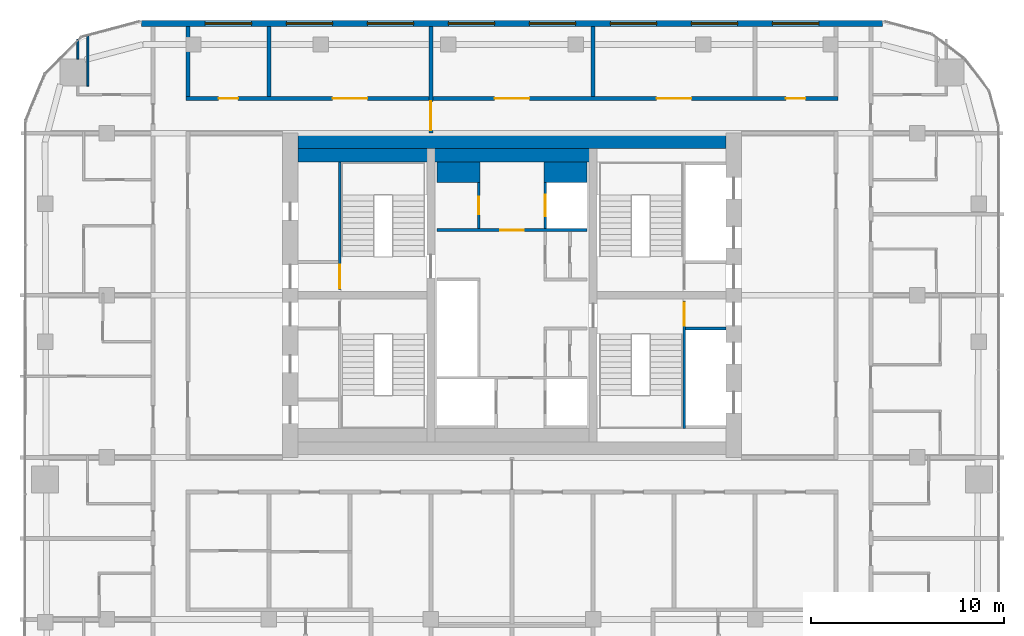
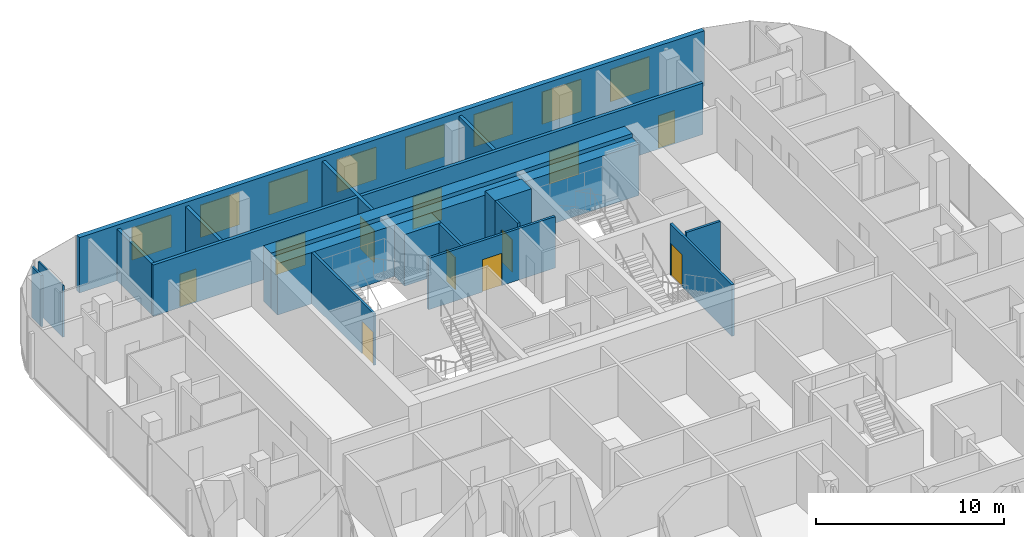
# One storey, part 19 of 22: 18 walls, 11 doors, 8 windows, 19 openings.
"""IFC4 building model written with IfcOpenShell, lengths in metres."""

from ifc_helpers import new_model, si_unit, direction, frame, frame_2d, origin, place, context, subcontext, project, spatial, rectangle, extrude, material, layer, layer_set, type_object, element, fill, save


model = new_model("IFC4")

# Units and contexts
model_context = context("Model", 3, precision=1e-05, world=origin(), true_north=direction((0.0, 1.0)))
body_context = subcontext(model_context, "Body", "Model", "MODEL_VIEW")
ifc_project = project(units=[si_unit("LENGTHUNIT", "METRE"), si_unit("AREAUNIT", "SQUARE_METRE"), si_unit("VOLUMEUNIT", "CUBIC_METRE"), si_unit("PLANEANGLEUNIT", "RADIAN"), si_unit("MASSUNIT", "GRAM", prefix="KILO")], contexts=[model_context])

# Site, building, storey
site_placement = place(None, origin())
site = spatial("IfcSite", under=ifc_project, at=site_placement, CompositionType="ELEMENT")
building_placement = place(site_placement, origin())
building = spatial("IfcBuilding", under=site, at=building_placement, Name="Marenta Gate Hotel Tower", CompositionType="ELEMENT")
storey_placement = place(building_placement, frame((0.0, 0.0, 209.300048828125)))
storey = spatial("IfcBuildingStorey", under=building, at=storey_placement, Name="L48", CompositionType="ELEMENT", Elevation=209.300048828125)

# Wall, openings, windows
ifc_material_1 = material(Name="Concrete C40 board-marked", Category="concrete")
ifc_layer_1 = layer(ifc_material_1, 0.300048828125)
ifc_layer_set_1 = layer_set([ifc_layer_1], Name="Concrete C40 board-marked")
wall_type_1 = type_object("IfcWallType", Name="Board-marked concrete wall 300 mm", PredefinedType="NOTDEFINED", material=ifc_layer_set_1)
wall_1_placement = place(storey_placement, frame((19.205810546875, 22.489990234375, 0.0), z_axis=(0.0, 0.0, 1.0), x_axis=(-1.0, 0.0, 0.0)))
wall_1 = element("IfcWall", 1, at=wall_1_placement, inside=storey, type_object=wall_type_1, Name="L48-CLD-N00", PredefinedType="NOTDEFINED", context=body_context, shape_type="SweptSolid", body=[
    extrude(rectangle(XDim=38.41162109375, YDim=0.300048828125, at=frame_2d((19.205810546875, 0.0))), origin(), (0.0, 0.0, 1.0), 3.599853515625),
])
opening_1_placement = place(wall_1_placement, frame((3.305908203125, 0.0, 0.89990234375)))
opening_1 = element("IfcOpeningElement", 2, at=opening_1_placement, cuts=wall_1, Name="Opening W1", PredefinedType="OPENING", context=body_context, shape_type="SweptSolid", body=[
    extrude(rectangle(XDim=2.39990234375, YDim=2.10009765625, at=frame_2d((1.199951171875, 1.050048828125))), frame((0.0, 0.14990234375, 0.0), z_axis=(0.0, -1.0, 0.0), x_axis=(1.0, 0.0, 0.0)), (0.0, 0.0, 1.0), 0.300048828125),
])
opening_2_placement = place(wall_1_placement, frame((7.505859375, 0.0, 0.89990234375)))
opening_2 = element("IfcOpeningElement", 3, at=opening_2_placement, cuts=wall_1, Name="Opening W1", PredefinedType="OPENING", context=body_context, shape_type="SweptSolid", body=[
    extrude(rectangle(XDim=2.39990234375, YDim=2.10009765625, at=frame_2d((1.199951171875, 1.050048828125))), frame((0.0, 0.14990234375, 0.0), z_axis=(0.0, -1.0, 0.0), x_axis=(1.0, 0.0, 0.0)), (0.0, 0.0, 1.0), 0.300048828125),
])
opening_3_placement = place(wall_1_placement, frame((11.705810546875, 0.0, 0.89990234375)))
opening_3 = element("IfcOpeningElement", 4, at=opening_3_placement, cuts=wall_1, Name="Opening W1", PredefinedType="OPENING", context=body_context, shape_type="SweptSolid", body=[
    extrude(rectangle(XDim=2.39990234375, YDim=2.10009765625, at=frame_2d((1.199951171875, 1.050048828125))), frame((0.0, 0.14990234375, 0.0), z_axis=(0.0, -1.0, 0.0), x_axis=(1.0, 0.0, 0.0)), (0.0, 0.0, 1.0), 0.300048828125),
])
opening_4_placement = place(wall_1_placement, frame((15.906005859375, 0.0, 0.89990234375)))
opening_4 = element("IfcOpeningElement", 5, at=opening_4_placement, cuts=wall_1, Name="Opening W1", PredefinedType="OPENING", context=body_context, shape_type="SweptSolid", body=[
    extrude(rectangle(XDim=2.39990234375, YDim=2.10009765625, at=frame_2d((1.199951171875, 1.050048828125))), frame((0.0, 0.14990234375, 0.0), z_axis=(0.0, -1.0, 0.0), x_axis=(1.0, 0.0, 0.0)), (0.0, 0.0, 1.0), 0.300048828125),
])
opening_5_placement = place(wall_1_placement, frame((20.10595703125, 0.0, 0.89990234375)))
opening_5 = element("IfcOpeningElement", 6, at=opening_5_placement, cuts=wall_1, Name="Opening W1", PredefinedType="OPENING", context=body_context, shape_type="SweptSolid", body=[
    extrude(rectangle(XDim=2.39990234375, YDim=2.10009765625, at=frame_2d((1.199951171875, 1.050048828125))), frame((0.0, 0.14990234375, 0.0), z_axis=(0.0, -1.0, 0.0), x_axis=(1.0, 0.0, 0.0)), (0.0, 0.0, 1.0), 0.300048828125),
])
opening_6_placement = place(wall_1_placement, frame((24.305908203125, 0.0, 0.89990234375)))
opening_6 = element("IfcOpeningElement", 7, at=opening_6_placement, cuts=wall_1, Name="Opening W1", PredefinedType="OPENING", context=body_context, shape_type="SweptSolid", body=[
    extrude(rectangle(XDim=2.39990234375, YDim=2.10009765625, at=frame_2d((1.199951171875, 1.050048828125))), frame((0.0, 0.14990234375, 0.0), z_axis=(0.0, -1.0, 0.0), x_axis=(1.0, 0.0, 0.0)), (0.0, 0.0, 1.0), 0.300048828125),
])
opening_7_placement = place(wall_1_placement, frame((28.505859375, 0.0, 0.89990234375)))
opening_7 = element("IfcOpeningElement", 8, at=opening_7_placement, cuts=wall_1, Name="Opening W1", PredefinedType="OPENING", context=body_context, shape_type="SweptSolid", body=[
    extrude(rectangle(XDim=2.39990234375, YDim=2.10009765625, at=frame_2d((1.199951171875, 1.050048828125))), frame((0.0, 0.14990234375, 0.0), z_axis=(0.0, -1.0, 0.0), x_axis=(1.0, 0.0, 0.0)), (0.0, 0.0, 1.0), 0.300048828125),
])
opening_8_placement = place(wall_1_placement, frame((32.705810546875, 0.0, 0.89990234375)))
opening_8 = element("IfcOpeningElement", 9, at=opening_8_placement, cuts=wall_1, Name="Opening W1", PredefinedType="OPENING", context=body_context, shape_type="SweptSolid", body=[
    extrude(rectangle(XDim=2.39990234375, YDim=2.10009765625, at=frame_2d((1.199951171875, 1.050048828125))), frame((0.0, 0.14990234375, 0.0), z_axis=(0.0, -1.0, 0.0), x_axis=(1.0, 0.0, 0.0)), (0.0, 0.0, 1.0), 0.300048828125),
])
ifc_material_2 = material(Name="Tinted insulated glass in bronze anodised frame", Category="glass")
window_type = type_object("IfcWindowType", Name="Window W1 2400x2100 bronze frame", PartitioningType="SINGLE_PANEL", PredefinedType="WINDOW", material=ifc_material_2)
window_1_placement = place(opening_1_placement, origin())
window_1 = element("IfcWindow", 10, at=window_1_placement, inside=storey, type_object=window_type, Name="Window W1", OverallHeight=2.10009765625, OverallWidth=2.39990234375, PartitioningType="SINGLE_PANEL", PredefinedType="WINDOW", context=body_context, shape_type="SweptSolid", body=[
    extrude(rectangle(XDim=2.39990234375, YDim=2.10009765625, at=frame_2d((1.199951171875, 1.050048828125))), frame((0.0, 0.030029296875, 0.0), z_axis=(0.0, -1.0, 0.0), x_axis=(1.0, 0.0, 0.0)), (0.0, 0.0, 1.0), 0.06005859375),
])
fill(opening_1, window_1)
window_2_placement = place(opening_2_placement, origin())
window_2 = element("IfcWindow", 11, at=window_2_placement, inside=storey, type_object=window_type, Name="Window W1", OverallHeight=2.10009765625, OverallWidth=2.39990234375, PartitioningType="SINGLE_PANEL", PredefinedType="WINDOW", context=body_context, shape_type="SweptSolid", body=[
    extrude(rectangle(XDim=2.39990234375, YDim=2.10009765625, at=frame_2d((1.199951171875, 1.050048828125))), frame((0.0, 0.030029296875, 0.0), z_axis=(0.0, -1.0, 0.0), x_axis=(1.0, 0.0, 0.0)), (0.0, 0.0, 1.0), 0.06005859375),
])
fill(opening_2, window_2)
window_3_placement = place(opening_3_placement, origin())
window_3 = element("IfcWindow", 12, at=window_3_placement, inside=storey, type_object=window_type, Name="Window W1", OverallHeight=2.10009765625, OverallWidth=2.39990234375, PartitioningType="SINGLE_PANEL", PredefinedType="WINDOW", context=body_context, shape_type="SweptSolid", body=[
    extrude(rectangle(XDim=2.39990234375, YDim=2.10009765625, at=frame_2d((1.199951171875, 1.050048828125))), frame((0.0, 0.030029296875, 0.0), z_axis=(0.0, -1.0, 0.0), x_axis=(1.0, 0.0, 0.0)), (0.0, 0.0, 1.0), 0.06005859375),
])
fill(opening_3, window_3)
window_4_placement = place(opening_4_placement, origin())
window_4 = element("IfcWindow", 13, at=window_4_placement, inside=storey, type_object=window_type, Name="Window W1", OverallHeight=2.10009765625, OverallWidth=2.39990234375, PartitioningType="SINGLE_PANEL", PredefinedType="WINDOW", context=body_context, shape_type="SweptSolid", body=[
    extrude(rectangle(XDim=2.39990234375, YDim=2.10009765625, at=frame_2d((1.199951171875, 1.050048828125))), frame((0.0, 0.030029296875, 0.0), z_axis=(0.0, -1.0, 0.0), x_axis=(1.0, 0.0, 0.0)), (0.0, 0.0, 1.0), 0.06005859375),
])
fill(opening_4, window_4)
window_5_placement = place(opening_5_placement, origin())
window_5 = element("IfcWindow", 14, at=window_5_placement, inside=storey, type_object=window_type, Name="Window W1", OverallHeight=2.10009765625, OverallWidth=2.39990234375, PartitioningType="SINGLE_PANEL", PredefinedType="WINDOW", context=body_context, shape_type="SweptSolid", body=[
    extrude(rectangle(XDim=2.39990234375, YDim=2.10009765625, at=frame_2d((1.199951171875, 1.050048828125))), frame((0.0, 0.030029296875, 0.0), z_axis=(0.0, -1.0, 0.0), x_axis=(1.0, 0.0, 0.0)), (0.0, 0.0, 1.0), 0.06005859375),
])
fill(opening_5, window_5)
window_6_placement = place(opening_6_placement, origin())
window_6 = element("IfcWindow", 15, at=window_6_placement, inside=storey, type_object=window_type, Name="Window W1", OverallHeight=2.10009765625, OverallWidth=2.39990234375, PartitioningType="SINGLE_PANEL", PredefinedType="WINDOW", context=body_context, shape_type="SweptSolid", body=[
    extrude(rectangle(XDim=2.39990234375, YDim=2.10009765625, at=frame_2d((1.199951171875, 1.050048828125))), frame((0.0, 0.030029296875, 0.0), z_axis=(0.0, -1.0, 0.0), x_axis=(1.0, 0.0, 0.0)), (0.0, 0.0, 1.0), 0.06005859375),
])
fill(opening_6, window_6)
window_7_placement = place(opening_7_placement, origin())
window_7 = element("IfcWindow", 16, at=window_7_placement, inside=storey, type_object=window_type, Name="Window W1", OverallHeight=2.10009765625, OverallWidth=2.39990234375, PartitioningType="SINGLE_PANEL", PredefinedType="WINDOW", context=body_context, shape_type="SweptSolid", body=[
    extrude(rectangle(XDim=2.39990234375, YDim=2.10009765625, at=frame_2d((1.199951171875, 1.050048828125))), frame((0.0, 0.030029296875, 0.0), z_axis=(0.0, -1.0, 0.0), x_axis=(1.0, 0.0, 0.0)), (0.0, 0.0, 1.0), 0.06005859375),
])
fill(opening_7, window_7)
window_8_placement = place(opening_8_placement, origin())
window_8 = element("IfcWindow", 17, at=window_8_placement, inside=storey, type_object=window_type, Name="Window W1", OverallHeight=2.10009765625, OverallWidth=2.39990234375, PartitioningType="SINGLE_PANEL", PredefinedType="WINDOW", context=body_context, shape_type="SweptSolid", body=[
    extrude(rectangle(XDim=2.39990234375, YDim=2.10009765625, at=frame_2d((1.199951171875, 1.050048828125))), frame((0.0, 0.030029296875, 0.0), z_axis=(0.0, -1.0, 0.0), x_axis=(1.0, 0.0, 0.0)), (0.0, 0.0, 1.0), 0.06005859375),
])
fill(opening_8, window_8)

# Wall, opening, door
ifc_material_3 = material(Name="Concrete blockwork", Category="masonry")
ifc_layer_2 = layer(ifc_material_3, 0.199951171875)
ifc_layer_set_2 = layer_set([ifc_layer_2], Name="Concrete blockwork")
wall_type_2 = type_object("IfcWallType", Name="Compartment wall 200 REI 180", PredefinedType="PARTITIONING", material=ifc_layer_set_2)
wall_2_placement = place(storey_placement, frame((-4.199951171875, 16.800048828125, 0.0), z_axis=(0.0, 0.0, 1.0), x_axis=(0.0, 1.0, 0.0)))
wall_2 = element("IfcWall", 18, at=wall_2_placement, inside=storey, type_object=wall_type_2, Name="L48-PTN-W089", PredefinedType="PARTITIONING", context=body_context, shape_type="SweptSolid", body=[
    extrude(rectangle(XDim=5.5400390625, YDim=0.199951171875, at=frame_2d((2.77001953125, 0.0))), origin(), (0.0, 0.0, 1.0), 3.33984375),
])
opening_9_placement = place(wall_2_placement, frame((0.14990234375, 0.0, 0.0)))
opening_9 = element("IfcOpeningElement", 19, at=opening_9_placement, cuts=wall_2, Name="Opening G17-FD1", PredefinedType="OPENING", context=body_context, shape_type="SweptSolid", body=[
    extrude(rectangle(XDim=1.5, YDim=2.10009765625, at=frame_2d((0.75, 1.050048828125))), frame((0.0, 0.10009765625, 0.0), z_axis=(0.0, -1.0, 0.0), x_axis=(1.0, 0.0, 0.0)), (0.0, 0.0, 1.0), 0.199951171875),
])
ifc_material_4 = material(Name="Hollow steel door set", Category="steel")
door_type_1 = type_object("IfcDoorType", Name="Compartment fire door 1500x2100 EI 60", OperationType="DOUBLE_DOOR_DOUBLE_SWING", PredefinedType="DOOR", material=ifc_material_4)
door_1_placement = place(opening_9_placement, origin())
door_1 = element("IfcDoor", 20, at=door_1_placement, inside=storey, type_object=door_type_1, Name="L48-PD-FD01", OperationType="DOUBLE_DOOR_DOUBLE_SWING", OverallHeight=2.10009765625, OverallWidth=1.5, PredefinedType="DOOR", context=body_context, shape_type="SweptSolid", body=[
    extrude(rectangle(XDim=1.5, YDim=2.10009765625, at=frame_2d((0.75, 1.050048828125))), frame((0.0, 0.02490234375, 0.0), z_axis=(0.0, -1.0, 0.0), x_axis=(1.0, 0.0, 0.0)), (0.0, 0.0, 1.0), 0.050048828125),
])
fill(opening_9, door_1)

# Wall
ifc_material_5 = material(Name="Concrete C40", Category="concrete")
ifc_layer_3 = layer(ifc_material_5, 0.699951171875)
ifc_layer_set_3 = layer_set([ifc_layer_3], Name="Concrete C40")
wall_type_3 = type_object("IfcWallType", Name="Core lining wall 700 REI 180", PredefinedType="PARTITIONING", material=ifc_layer_set_3)
wall_3_placement = place(storey_placement, frame((-11.10009765625, 15.64990234375, 0.0), z_axis=(0.0, 0.0, 1.0), x_axis=(1.0, 0.0, 0.0)))
element("IfcWall", 21, at=wall_3_placement, inside=storey, type_object=wall_type_3, Name="L48-CP-LN-N", PredefinedType="PARTITIONING", context=body_context, shape_type="SweptSolid", body=[
    extrude(rectangle(XDim=22.2001953125, YDim=0.699951171875, at=frame_2d((11.10009765625, 0.0))), origin(), (0.0, 0.0, 1.0), 3.33984375),
])

# Wall, opening, door
ifc_material_6 = material(Name="Concrete blockwork", Category="masonry")
ifc_layer_4 = layer(ifc_material_6, 0.14990234375)
ifc_layer_set_4 = layer_set([ifc_layer_4], Name="Concrete blockwork")
wall_type_4 = type_object("IfcWallType", Name="Core lobby partition 150 REI 180", PredefinedType="PARTITIONING", material=ifc_layer_set_4)
wall_4_placement = place(storey_placement, frame((-3.89990234375, 11.77490234375, 0.0), z_axis=(0.0, 0.0, 1.0), x_axis=(1.0, 0.0, 0.0)))
wall_4 = element("IfcWall", 22, at=wall_4_placement, inside=storey, type_object=wall_type_4, Name="L48-CP-CW-N", PredefinedType="PARTITIONING", context=body_context, shape_type="SweptSolid", body=[
    extrude(rectangle(XDim=7.7998046875, YDim=0.14990234375, at=frame_2d((3.89990234375, 0.0))), origin(), (0.0, 0.0, 1.0), 3.33984375),
])
opening_10_placement = place(wall_4_placement, frame((3.300048828125, 0.0, 0.0)))
opening_10 = element("IfcOpeningElement", 23, at=opening_10_placement, cuts=wall_4, Name="Opening FD-FFN", PredefinedType="OPENING", context=body_context, shape_type="SweptSolid", body=[
    extrude(rectangle(XDim=1.199951171875, YDim=2.10009765625, at=frame_2d((0.60009765625, 1.050048828125))), frame((0.0, 0.074951171875, 0.0), z_axis=(0.0, -1.0, 0.0), x_axis=(1.0, 0.0, 0.0)), (0.0, 0.0, 1.0), 0.14990234375),
])
ifc_material_7 = material(Name="Steel", Category="steel")
door_type_2 = type_object("IfcDoorType", Name="Core lobby door 1200x2100 FD60", OperationType="SINGLE_SWING_LEFT", PredefinedType="DOOR", material=ifc_material_7)
door_2_placement = place(opening_10_placement, origin())
door_2 = element("IfcDoor", 24, at=door_2_placement, inside=storey, type_object=door_type_2, Name="FD-FFN", OperationType="SINGLE_SWING_LEFT", OverallHeight=2.10009765625, OverallWidth=1.199951171875, PredefinedType="DOOR", context=body_context, shape_type="SweptSolid", body=[
    extrude(rectangle(XDim=1.199951171875, YDim=2.10009765625, at=frame_2d((0.60009765625, 1.050048828125))), frame((0.0, 0.02490234375, 0.0), z_axis=(0.0, -1.0, 0.0), x_axis=(1.0, 0.0, 0.0)), (0.0, 0.0, 1.0), 0.050048828125),
])
fill(opening_10, door_2)

# Wall
ifc_material_8 = material(Name="Concrete blockwork", Category="masonry")
ifc_layer_5 = layer(ifc_material_8, 1.050048828125)
ifc_layer_set_5 = layer_set([ifc_layer_5], Name="Concrete blockwork")
wall_type_5 = type_object("IfcWallType", Name="Core room partition 1050 REI 180", PredefinedType="PARTITIONING", material=ifc_layer_set_5)
wall_5_placement = place(storey_placement, frame((-3.89990234375, 14.77490234375, 0.0), z_axis=(0.0, 0.0, 1.0), x_axis=(1.0, 0.0, 0.0)))
element("IfcWall", 25, at=wall_5_placement, inside=storey, type_object=wall_type_5, Name="L48-CP-CW-W-riser-N", PredefinedType="PARTITIONING", context=body_context, shape_type="SweptSolid", body=[
    extrude(rectangle(XDim=2.25, YDim=1.050048828125, at=frame_2d((1.125, 0.0))), origin(), (0.0, 0.0, 1.0), 3.33984375),
])

# Wall, opening, door
ifc_material_9 = material(Name="Concrete blockwork", Category="masonry")
ifc_layer_6 = layer(ifc_material_9, 0.14990234375)
ifc_layer_set_6 = layer_set([ifc_layer_6], Name="Concrete blockwork")
wall_type_6 = type_object("IfcWallType", Name="Core room partition 150 REI 180", PredefinedType="PARTITIONING", material=ifc_layer_set_6)
wall_6_placement = place(storey_placement, frame((-1.72509765625, 11.85009765625, 0.0), z_axis=(0.0, 0.0, 1.0), x_axis=(0.0, 1.0, 0.0)))
wall_6 = element("IfcWall", 26, at=wall_6_placement, inside=storey, type_object=wall_type_6, Name="L48-CP-CW-W-riser-front", PredefinedType="PARTITIONING", context=body_context, shape_type="SweptSolid", body=[
    extrude(rectangle(XDim=2.39990234375, YDim=0.14990234375, at=frame_2d((1.199951171875, 0.0))), origin(), (0.0, 0.0, 1.0), 3.33984375),
])
opening_11_placement = place(wall_6_placement, frame((0.75, 0.0, 0.0)))
opening_11 = element("IfcOpeningElement", 27, at=opening_11_placement, cuts=wall_6, Name="Opening RD-CRISER", PredefinedType="OPENING", context=body_context, shape_type="SweptSolid", body=[
    extrude(rectangle(XDim=0.89990234375, YDim=2.10009765625, at=frame_2d((0.449951171875, 1.050048828125))), frame((0.0, 0.074951171875, 0.0), z_axis=(0.0, -1.0, 0.0), x_axis=(1.0, 0.0, 0.0)), (0.0, 0.0, 1.0), 0.14990234375),
])
ifc_material_10 = material(Name="Steel", Category="steel")
door_type_3 = type_object("IfcDoorType", Name="Core riser door 900x2100 FD60", OperationType="SINGLE_SWING_LEFT", PredefinedType="DOOR", material=ifc_material_10)
door_3_placement = place(opening_11_placement, origin())
door_3 = element("IfcDoor", 28, at=door_3_placement, inside=storey, type_object=door_type_3, Name="RD-CRISER", OperationType="SINGLE_SWING_LEFT", OverallHeight=2.10009765625, OverallWidth=0.89990234375, PredefinedType="DOOR", context=body_context, shape_type="SweptSolid", body=[
    extrude(rectangle(XDim=0.89990234375, YDim=2.10009765625, at=frame_2d((0.449951171875, 1.050048828125))), frame((0.0, 0.02490234375, 0.0), z_axis=(0.0, -1.0, 0.0), x_axis=(1.0, 0.0, 0.0)), (0.0, 0.0, 1.0), 0.050048828125),
])
fill(opening_11, door_3)

# Walls
ifc_material_11 = material(Name="Concrete C40", Category="concrete")
ifc_layer_7 = layer(ifc_material_11, 1.050048828125)
ifc_layer_set_7 = layer_set([ifc_layer_7], Name="Concrete C40")
wall_type_7 = type_object("IfcWallType", Name="Core shaft wall 1050 REI 180", PredefinedType="SHEAR", material=ifc_layer_set_7)
wall_7_placement = place(storey_placement, frame((1.64990234375, 14.77490234375, 0.0), z_axis=(0.0, 0.0, 1.0), x_axis=(1.0, 0.0, 0.0)))
element("IfcWall", 29, at=wall_7_placement, inside=storey, type_object=wall_type_7, Name="L48-SHF-CE-N-top", PredefinedType="SHEAR", context=body_context, shape_type="SweptSolid", body=[
    extrude(rectangle(XDim=2.25, YDim=1.050048828125, at=frame_2d((1.125, 0.0))), origin(), (0.0, 0.0, 1.0), 3.599853515625),
])
ifc_material_12 = material(Name="Concrete C40", Category="concrete")
ifc_layer_8 = layer(ifc_material_12, 0.14990234375)
ifc_layer_set_8 = layer_set([ifc_layer_8], Name="Concrete C40")
wall_type_8 = type_object("IfcWallType", Name="Core shaft wall 150 REI 180", PredefinedType="SHEAR", material=ifc_layer_set_8)
wall_8_placement = place(storey_placement, frame((9.0, 6.675048828125, 0.0), z_axis=(0.0, 0.0, 1.0), x_axis=(1.0, 0.0, 0.0)))
element("IfcWall", 30, at=wall_8_placement, inside=storey, type_object=wall_type_8, Name="L48-SHF-SW-ES-2", PredefinedType="SHEAR", context=body_context, shape_type="SweptSolid", body=[
    extrude(rectangle(XDim=2.10009765625, YDim=0.14990234375, at=frame_2d((1.050048828125, 0.0))), origin(), (0.0, 0.0, 1.0), 3.599853515625),
])

# Wall, opening, door
wall_9_placement = place(storey_placement, frame((1.72509765625, 11.85009765625, 0.0), z_axis=(0.0, 0.0, 1.0), x_axis=(0.0, 1.0, 0.0)))
wall_9 = element("IfcWall", 31, at=wall_9_placement, inside=storey, type_object=wall_type_8, Name="L48-SHF-CE-N-front2", PredefinedType="SHEAR", context=body_context, shape_type="SweptSolid", body=[
    extrude(rectangle(XDim=2.39990234375, YDim=0.14990234375, at=frame_2d((1.199951171875, 0.0))), origin(), (0.0, 0.0, 1.0), 3.599853515625),
])
opening_12_placement = place(wall_9_placement, frame((0.64990234375, 0.0, 0.0)))
opening_12 = element("IfcOpeningElement", 32, at=opening_12_placement, cuts=wall_9, Name="Opening LD-FF2", PredefinedType="OPENING", context=body_context, shape_type="SweptSolid", body=[
    extrude(rectangle(XDim=1.10009765625, YDim=2.10009765625, at=frame_2d((0.550048828125, 1.050048828125))), frame((0.0, 0.074951171875, 0.0), z_axis=(0.0, -1.0, 0.0), x_axis=(1.0, 0.0, 0.0)), (0.0, 0.0, 1.0), 0.14990234375),
])
ifc_material_13 = material(Name="Steel", Category="steel")
door_type_4 = type_object("IfcDoorType", Name="Core lift landing door 1100x2100 E 60", OperationType="SLIDING_TO_LEFT", PredefinedType="DOOR", material=ifc_material_13)
door_4_placement = place(opening_12_placement, origin())
door_4 = element("IfcDoor", 33, at=door_4_placement, inside=storey, type_object=door_type_4, Name="LD-FF2", OperationType="SLIDING_TO_LEFT", OverallHeight=2.10009765625, OverallWidth=1.10009765625, PredefinedType="DOOR", context=body_context, shape_type="SweptSolid", body=[
    extrude(rectangle(XDim=1.10009765625, YDim=2.10009765625, at=frame_2d((0.550048828125, 1.050048828125))), frame((0.0, 0.02490234375, 0.0), z_axis=(0.0, -1.0, 0.0), x_axis=(1.0, 0.0, 0.0)), (0.0, 0.0, 1.0), 0.050048828125),
])
fill(opening_12, door_4)

ifc_material_14 = material(Name="Concrete C40", Category="concrete")
ifc_layer_9 = layer(ifc_material_14, 0.14990234375)
ifc_layer_set_9 = layer_set([ifc_layer_9], Name="Concrete C40")
wall_type_9 = type_object("IfcWallType", Name="Core stair enclosure wall 150 REI 180", PredefinedType="SHEAR", material=ifc_layer_set_9)
wall_10_placement = place(storey_placement, frame((-8.925048828125, 8.699951171875, 0.0), z_axis=(0.0, 0.0, 1.0), x_axis=(0.0, 1.0, 0.0)))
wall_10 = element("IfcWall", 34, at=wall_10_placement, inside=storey, type_object=wall_type_9, Name="L48-SHF-SW-WN-3", PredefinedType="SHEAR", context=body_context, shape_type="SweptSolid", body=[
    extrude(rectangle(XDim=6.60009765625, YDim=0.14990234375, at=frame_2d((3.300048828125, 0.0))), origin(), (0.0, 0.0, 1.0), 3.33984375),
])
opening_13_placement = place(wall_10_placement, frame((0.074951171875, 0.0, 0.0)))
opening_13 = element("IfcOpeningElement", 35, at=opening_13_placement, cuts=wall_10, Name="Opening SD-WN", PredefinedType="OPENING", context=body_context, shape_type="SweptSolid", body=[
    extrude(rectangle(XDim=1.199951171875, YDim=2.10009765625, at=frame_2d((0.60009765625, 1.050048828125))), frame((0.0, 0.074951171875, 0.0), z_axis=(0.0, -1.0, 0.0), x_axis=(1.0, 0.0, 0.0)), (0.0, 0.0, 1.0), 0.14990234375),
])
ifc_material_15 = material(Name="Steel", Category="steel")
door_type_5 = type_object("IfcDoorType", Name="Core stair door 1200x2100 FD60", OperationType="SINGLE_SWING_LEFT", PredefinedType="DOOR", material=ifc_material_15)
door_5_placement = place(opening_13_placement, origin())
door_5 = element("IfcDoor", 36, at=door_5_placement, inside=storey, type_object=door_type_5, Name="SD-WN", OperationType="SINGLE_SWING_LEFT", OverallHeight=2.10009765625, OverallWidth=1.199951171875, PredefinedType="DOOR", context=body_context, shape_type="SweptSolid", body=[
    extrude(rectangle(XDim=1.199951171875, YDim=2.10009765625, at=frame_2d((0.60009765625, 1.050048828125))), frame((0.0, 0.02490234375, 0.0), z_axis=(0.0, -1.0, 0.0), x_axis=(1.0, 0.0, 0.0)), (0.0, 0.0, 1.0), 0.050048828125),
])
fill(opening_13, door_5)

wall_11_placement = place(storey_placement, frame((8.925048828125, 1.5, 0.0), z_axis=(0.0, 0.0, 1.0), x_axis=(0.0, 1.0, 0.0)))
wall_11 = element("IfcWall", 37, at=wall_11_placement, inside=storey, type_object=wall_type_9, Name="L48-SHF-SW-ES-3", PredefinedType="SHEAR", context=body_context, shape_type="SweptSolid", body=[
    extrude(rectangle(XDim=6.60009765625, YDim=0.14990234375, at=frame_2d((3.300048828125, 0.0))), origin(), (0.0, 0.0, 1.0), 3.33984375),
])
opening_14_placement = place(wall_11_placement, frame((5.324951171875, 0.0, 0.0)))
opening_14 = element("IfcOpeningElement", 38, at=opening_14_placement, cuts=wall_11, Name="Opening SD-ES", PredefinedType="OPENING", context=body_context, shape_type="SweptSolid", body=[
    extrude(rectangle(XDim=1.199951171875, YDim=2.10009765625, at=frame_2d((0.60009765625, 1.050048828125))), frame((0.0, 0.074951171875, 0.0), z_axis=(0.0, -1.0, 0.0), x_axis=(1.0, 0.0, 0.0)), (0.0, 0.0, 1.0), 0.14990234375),
])
door_6_placement = place(opening_14_placement, origin())
door_6 = element("IfcDoor", 39, at=door_6_placement, inside=storey, type_object=door_type_5, Name="SD-ES", OperationType="SINGLE_SWING_LEFT", OverallHeight=2.10009765625, OverallWidth=1.199951171875, PredefinedType="DOOR", context=body_context, shape_type="SweptSolid", body=[
    extrude(rectangle(XDim=1.199951171875, YDim=2.10009765625, at=frame_2d((0.60009765625, 1.050048828125))), frame((0.0, 0.02490234375, 0.0), z_axis=(0.0, -1.0, 0.0), x_axis=(1.0, 0.0, 0.0)), (0.0, 0.0, 1.0), 0.050048828125),
])
fill(opening_14, door_6)

# Walls
ifc_material_16 = material(Name="Concrete C60", Category="concrete")
ifc_layer_10 = layer(ifc_material_16, 0.800048828125)
ifc_layer_set_10 = layer_set([ifc_layer_10], Name="Concrete C60")
wall_type_10 = type_object("IfcWallType", Name="Core wall 800 C60", PredefinedType="SHEAR", material=ifc_layer_set_10)
wall_12_placement = place(storey_placement, frame((-11.10009765625, 16.39990234375, 0.0), z_axis=(0.0, 0.0, 1.0), x_axis=(1.0, 0.0, 0.0)))
element("IfcWall", 40, at=wall_12_placement, inside=storey, type_object=wall_type_10, Name="L48-CORE-N", PredefinedType="SHEAR", context=body_context, shape_type="SweptSolid", body=[
    extrude(rectangle(XDim=22.2001953125, YDim=0.800048828125, at=frame_2d((11.10009765625, 0.0))), origin(), (0.0, 0.0, 1.0), 3.599853515625),
])
ifc_material_17 = material(Name="Gypsum board on steel stud", Category="steel")
ifc_layer_11 = layer(ifc_material_17, 0.199951171875)
ifc_layer_set_11 = layer_set([ifc_layer_11], Name="Gypsum board on steel stud")
wall_type_11 = type_object("IfcWallType", Name="Room corridor wall 200 EI 60", PredefinedType="PARTITIONING", material=ifc_layer_set_11)
wall_13_placement = place(storey_placement, frame((-16.800048828125, 18.699951171875, 0.0), z_axis=(0.0, 0.0, 1.0), x_axis=(0.0, 1.0, 0.0)))
element("IfcWall", 41, at=wall_13_placement, inside=storey, type_object=wall_type_11, Name="L48-PTN-W115", PredefinedType="PARTITIONING", context=body_context, shape_type="SweptSolid", body=[
    extrude(rectangle(XDim=3.64013671875, YDim=0.199951171875, at=frame_2d((1.820068359375, 0.0))), origin(), (0.0, 0.0, 1.0), 3.33984375),
])

# Wall, openings, doors
wall_14_placement = place(storey_placement, frame((-16.89990234375, 18.60009765625, 0.0), z_axis=(0.0, 0.0, 1.0), x_axis=(1.0, 0.0, 0.0)))
wall_14 = element("IfcWall", 42, at=wall_14_placement, inside=storey, type_object=wall_type_11, Name="L48-PTN-W119", PredefinedType="PARTITIONING", context=body_context, shape_type="SweptSolid", body=[
    extrude(rectangle(XDim=33.7998046875, YDim=0.199951171875, at=frame_2d((16.89990234375, 0.0))), origin(), (0.0, 0.0, 1.0), 3.33984375),
])
opening_15_placement = place(wall_14_placement, frame((1.699951171875, 0.0, 0.0)))
opening_15 = element("IfcOpeningElement", 43, at=opening_15_placement, cuts=wall_14, Name="Opening G17-36", PredefinedType="OPENING", context=body_context, shape_type="SweptSolid", body=[
    extrude(rectangle(XDim=1.0, YDim=2.10009765625, at=frame_2d((0.5, 1.050048828125))), frame((0.0, 0.10009765625, 0.0), z_axis=(0.0, -1.0, 0.0), x_axis=(1.0, 0.0, 0.0)), (0.0, 0.0, 1.0), 0.199951171875),
])
opening_16_placement = place(wall_14_placement, frame((7.60009765625, 0.0, 0.0)))
opening_16 = element("IfcOpeningElement", 44, at=opening_16_placement, cuts=wall_14, Name="Opening G17-37", PredefinedType="OPENING", context=body_context, shape_type="SweptSolid", body=[
    extrude(rectangle(XDim=1.800048828125, YDim=2.10009765625, at=frame_2d((0.89990234375, 1.050048828125))), frame((0.0, 0.10009765625, 0.0), z_axis=(0.0, -1.0, 0.0), x_axis=(1.0, 0.0, 0.0)), (0.0, 0.0, 1.0), 0.199951171875),
])
opening_17_placement = place(wall_14_placement, frame((16.0, 0.0, 0.0)))
opening_17 = element("IfcOpeningElement", 45, at=opening_17_placement, cuts=wall_14, Name="Opening G17-38", PredefinedType="OPENING", context=body_context, shape_type="SweptSolid", body=[
    extrude(rectangle(XDim=1.800048828125, YDim=2.10009765625, at=frame_2d((0.89990234375, 1.050048828125))), frame((0.0, 0.10009765625, 0.0), z_axis=(0.0, -1.0, 0.0), x_axis=(1.0, 0.0, 0.0)), (0.0, 0.0, 1.0), 0.199951171875),
])
opening_18_placement = place(wall_14_placement, frame((24.39990234375, 0.0, 0.0)))
opening_18 = element("IfcOpeningElement", 46, at=opening_18_placement, cuts=wall_14, Name="Opening G17-39", PredefinedType="OPENING", context=body_context, shape_type="SweptSolid", body=[
    extrude(rectangle(XDim=1.800048828125, YDim=2.10009765625, at=frame_2d((0.89990234375, 1.050048828125))), frame((0.0, 0.10009765625, 0.0), z_axis=(0.0, -1.0, 0.0), x_axis=(1.0, 0.0, 0.0)), (0.0, 0.0, 1.0), 0.199951171875),
])
opening_19_placement = place(wall_14_placement, frame((31.10009765625, 0.0, 0.0)))
opening_19 = element("IfcOpeningElement", 47, at=opening_19_placement, cuts=wall_14, Name="Opening G17-40", PredefinedType="OPENING", context=body_context, shape_type="SweptSolid", body=[
    extrude(rectangle(XDim=1.0, YDim=2.10009765625, at=frame_2d((0.5, 1.050048828125))), frame((0.0, 0.10009765625, 0.0), z_axis=(0.0, -1.0, 0.0), x_axis=(1.0, 0.0, 0.0)), (0.0, 0.0, 1.0), 0.199951171875),
])
ifc_material_18 = material(Name="Timber door leaf", Category="wood")
door_type_6 = type_object("IfcDoorType", Name="Room amenity door 1000x2100 EI 30", OperationType="NOTDEFINED", PredefinedType="DOOR", material=ifc_material_18)
door_7_placement = place(opening_15_placement, origin())
door_7 = element("IfcDoor", 48, at=door_7_placement, inside=storey, type_object=door_type_6, Name="L48-PD-D036", OperationType="SINGLE_SWING_RIGHT", OverallHeight=2.10009765625, OverallWidth=1.0, PredefinedType="DOOR", context=body_context, shape_type="SweptSolid", body=[
    extrude(rectangle(XDim=1.0, YDim=2.10009765625, at=frame_2d((0.5, 1.050048828125))), frame((0.0, 0.02490234375, 0.0), z_axis=(0.0, -1.0, 0.0), x_axis=(1.0, 0.0, 0.0)), (0.0, 0.0, 1.0), 0.050048828125),
])
fill(opening_15, door_7)
door_8_placement = place(opening_19_placement, origin())
door_8 = element("IfcDoor", 49, at=door_8_placement, inside=storey, type_object=door_type_6, Name="L48-PD-D040", OperationType="SINGLE_SWING_RIGHT", OverallHeight=2.10009765625, OverallWidth=1.0, PredefinedType="DOOR", context=body_context, shape_type="SweptSolid", body=[
    extrude(rectangle(XDim=1.0, YDim=2.10009765625, at=frame_2d((0.5, 1.050048828125))), frame((0.0, 0.02490234375, 0.0), z_axis=(0.0, -1.0, 0.0), x_axis=(1.0, 0.0, 0.0)), (0.0, 0.0, 1.0), 0.050048828125),
])
fill(opening_19, door_8)
ifc_material_19 = material(Name="Timber door leaf", Category="wood")
door_type_7 = type_object("IfcDoorType", Name="Room amenity door 1800x2100 EI 30", OperationType="DOUBLE_DOOR_SINGLE_SWING", PredefinedType="DOOR", material=ifc_material_19)
door_9_placement = place(opening_16_placement, origin())
door_9 = element("IfcDoor", 50, at=door_9_placement, inside=storey, type_object=door_type_7, Name="L48-PD-D037", OperationType="DOUBLE_DOOR_SINGLE_SWING", OverallHeight=2.10009765625, OverallWidth=1.800048828125, PredefinedType="DOOR", context=body_context, shape_type="SweptSolid", body=[
    extrude(rectangle(XDim=1.800048828125, YDim=2.10009765625, at=frame_2d((0.89990234375, 1.050048828125))), frame((0.0, 0.02490234375, 0.0), z_axis=(0.0, -1.0, 0.0), x_axis=(1.0, 0.0, 0.0)), (0.0, 0.0, 1.0), 0.050048828125),
])
fill(opening_16, door_9)
door_10_placement = place(opening_17_placement, origin())
door_10 = element("IfcDoor", 51, at=door_10_placement, inside=storey, type_object=door_type_7, Name="L48-PD-D038", OperationType="DOUBLE_DOOR_SINGLE_SWING", OverallHeight=2.10009765625, OverallWidth=1.800048828125, PredefinedType="DOOR", context=body_context, shape_type="SweptSolid", body=[
    extrude(rectangle(XDim=1.800048828125, YDim=2.10009765625, at=frame_2d((0.89990234375, 1.050048828125))), frame((0.0, 0.02490234375, 0.0), z_axis=(0.0, -1.0, 0.0), x_axis=(1.0, 0.0, 0.0)), (0.0, 0.0, 1.0), 0.050048828125),
])
fill(opening_17, door_10)
door_11_placement = place(opening_18_placement, origin())
door_11 = element("IfcDoor", 52, at=door_11_placement, inside=storey, type_object=door_type_7, Name="L48-PD-D039", OperationType="DOUBLE_DOOR_SINGLE_SWING", OverallHeight=2.10009765625, OverallWidth=1.800048828125, PredefinedType="DOOR", context=body_context, shape_type="SweptSolid", body=[
    extrude(rectangle(XDim=1.800048828125, YDim=2.10009765625, at=frame_2d((0.89990234375, 1.050048828125))), frame((0.0, 0.02490234375, 0.0), z_axis=(0.0, -1.0, 0.0), x_axis=(1.0, 0.0, 0.0)), (0.0, 0.0, 1.0), 0.050048828125),
])
fill(opening_18, door_11)

# Walls
ifc_material_20 = material(Name="Gypsum board on steel stud", Category="steel")
ifc_layer_12 = layer(ifc_material_20, 0.10009765625)
ifc_layer_set_12 = layer_set([ifc_layer_12], Name="Gypsum board on steel stud")
wall_type_12 = type_object("IfcWallType", Name="Room partition 100", PredefinedType="PARTITIONING", material=ifc_layer_set_12)
wall_15_placement = place(storey_placement, frame((-22.5, 20.635986328125, 0.0), z_axis=(0.0, 0.0, 1.0), x_axis=(0.0, 1.0, 0.0)))
element("IfcWall", 53, at=wall_15_placement, inside=storey, type_object=wall_type_12, Name="L48-PTN-W133", PredefinedType="PARTITIONING", context=body_context, shape_type="SweptSolid", body=[
    extrude(rectangle(XDim=1.030029296875, YDim=0.10009765625, at=frame_2d((0.51513671875, 0.0))), origin(), (0.0, 0.0, 1.0), 3.33984375),
])
wall_16_placement = place(storey_placement, frame((-21.985107421875, 19.236083984375, 0.0), z_axis=(0.0, 0.0, 1.0), x_axis=(0.0, 1.0, 0.0)))
element("IfcWall", 54, at=wall_16_placement, inside=storey, type_object=wall_type_12, Name="L48-PTN-W135", PredefinedType="PARTITIONING", context=body_context, shape_type="SweptSolid", body=[
    extrude(rectangle(XDim=2.614013671875, YDim=0.10009765625, at=frame_2d((1.30712890625, 0.0))), origin(), (0.0, 0.0, 1.0), 3.33984375),
])
ifc_material_21 = material(Name="Gypsum board on steel stud", Category="steel")
ifc_layer_13 = layer(ifc_material_21, 0.199951171875)
ifc_layer_set_13 = layer_set([ifc_layer_13], Name="Gypsum board on steel stud")
wall_type_13 = type_object("IfcWallType", Name="Room party wall 200 EI 60", PredefinedType="PARTITIONING", material=ifc_layer_set_13)
for number, where, z_axis, x_axis, name in (
    (55, (4.199951171875, 18.699951171875, 0.0), (0.0, 0.0, 1.0), (0.0, 1.0, 0.0), "L48-PTN-W073"),
    (56, (-12.60009765625, 18.699951171875, 0.0), (0.0, 0.0, 1.0), (0.0, 1.0, 0.0), "L48-PTN-W106"),
):
    element("IfcWall", number, at=place(storey_placement, frame(where, z_axis=z_axis, x_axis=x_axis)), inside=storey, type_object=wall_type_13, Name=name, PredefinedType="PARTITIONING", context=body_context, shape_type="SweptSolid", body=[
        extrude(rectangle(XDim=3.64013671875, YDim=0.199951171875, at=frame_2d((1.820068359375, 0.0))), origin(), (0.0, 0.0, 1.0), 3.33984375),
    ])

save(model, "model.ifc")
